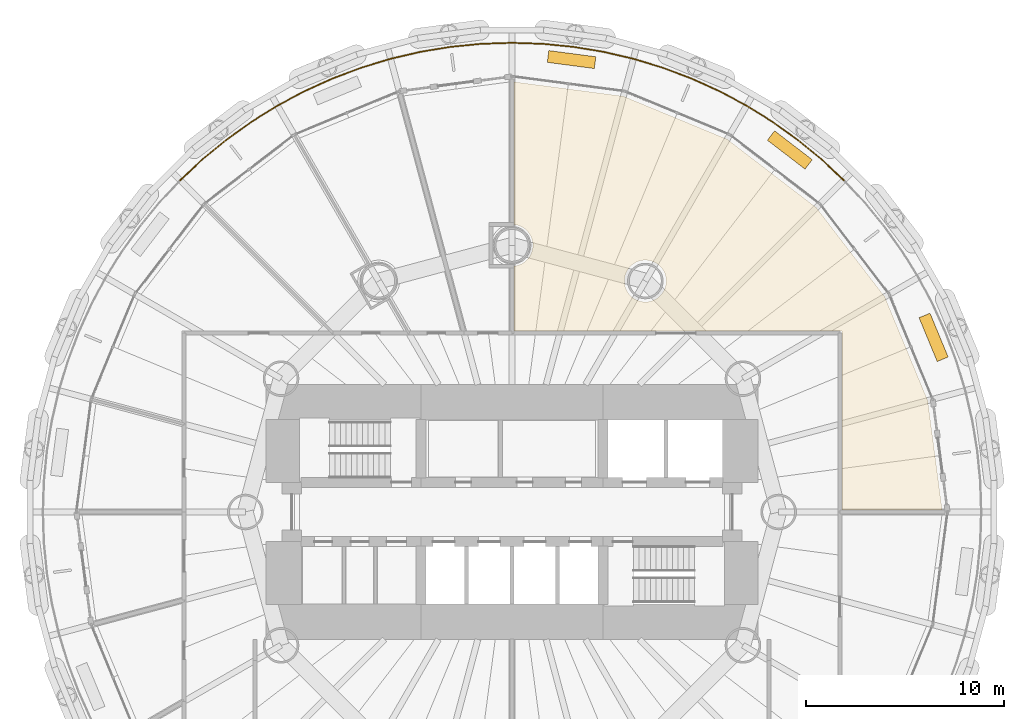
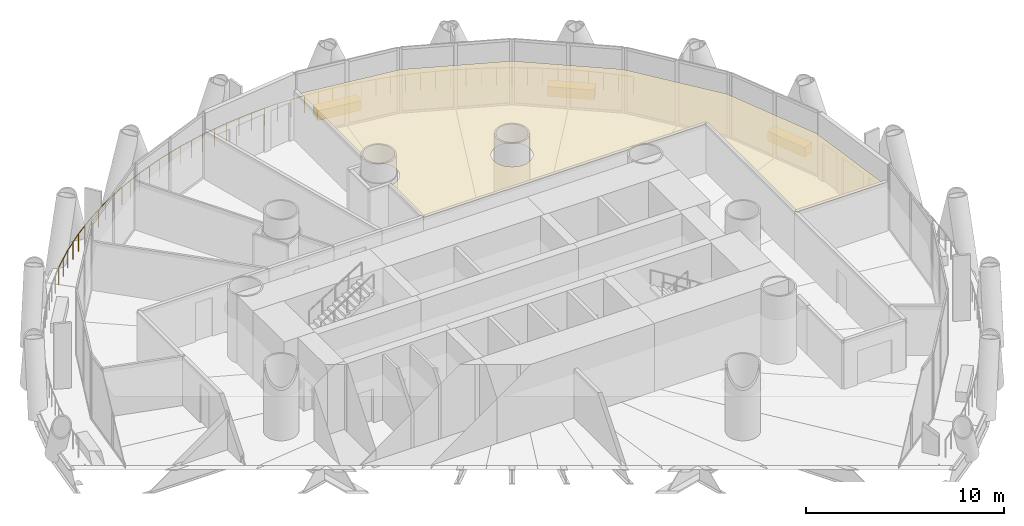
# One storey, part 16 of 16: 4 coverings, 1 railing.
"""IFC4 building model written with IfcOpenShell, lengths in metres."""

import ifcopenshell
import ifcopenshell.guid

model = None  # the IFC model being written
_history = None  # IfcOwnerHistory: only IFC2X3 demands one
_inside = {}  # id of a spatial element -> (the spatial element, [elements in it])
_under = {}  # id of a project, library or spatial element -> (it, [spatial elements below it])
_declared = {}  # id of a project -> (the project, [libraries it declares])
_typed = {}  # id of a type object -> (the type object, [elements of that type])
_made_of = {}  # id of a material, layer set ... -> (it, [elements and type objects made of it])


def new_model(schema):
    """Start an empty IFC model of exactly this schema.

    Asked for "IFC4X3", IfcOpenShell would pick the latest addendum, in which some entities
    have other attributes; the version numbers below select the first issue.
    IFC2X3 requires an IfcOwnerHistory on every rooted entity: one is made here for all.
    """
    global model, _history
    if schema == "IFC4X3":
        model = ifcopenshell.file(schema_version=(4, 3, 0, 0))
    else:
        model = ifcopenshell.file(schema=schema)
    _inside.clear()
    _under.clear()
    _declared.clear()
    _typed.clear()
    _made_of.clear()
    _history = None
    if model.schema == "IFC2X3":
        org = make("IfcOrganization", Name="unknown")
        user = make(
            "IfcPersonAndOrganization",
            ThePerson=make("IfcPerson", FamilyName="unknown"),
            TheOrganization=org,
        )
        app = make(
            "IfcApplication",
            ApplicationDeveloper=org,
            Version="unknown",
            ApplicationFullName="unknown",
            ApplicationIdentifier="unknown",
        )
        _history = make(
            "IfcOwnerHistory",
            OwningUser=user,
            OwningApplication=app,
            ChangeAction="ADDED",
            CreationDate=0,
        )
    return model


def make(cls, **values):
    """One entity of the class cls with the attributes given. An attribute that is None is left unset."""
    return model.create_entity(
        cls, **{name: value for name, value in values.items() if value is not None}
    )


def rooted(cls, **values):
    """An entity with a GlobalId (a new one), such as an element, a storey or a relation."""
    return make(cls, GlobalId=ifcopenshell.guid.new(), OwnerHistory=_history, **values)


def si_unit(unit_type, name, prefix=None):
    """IfcSIUnit, for example si_unit("LENGTHUNIT", "METRE", prefix="MILLI")."""
    return make("IfcSIUnit", UnitType=unit_type, Prefix=prefix, Name=name)


def assignment(units):
    """IfcUnitAssignment: the units of a project."""
    return None if units is None else make("IfcUnitAssignment", Units=units)


def point(xyz):
    """IfcCartesianPoint."""
    return None if xyz is None else make("IfcCartesianPoint", Coordinates=xyz)


def direction(xyz):
    """IfcDirection."""
    return None if xyz is None else make("IfcDirection", DirectionRatios=xyz)


def frame(location, z_axis=None, x_axis=None):
    """IfcAxis2Placement3D, a coordinate frame: its origin and axes. An axis left out is left unset."""
    return make(
        "IfcAxis2Placement3D",
        Location=point(location),
        Axis=direction(z_axis),
        RefDirection=direction(x_axis),
    )


def frame_2d(location, x_axis=None):
    """IfcAxis2Placement2D, a coordinate frame in the plane: its origin and x axis."""
    return make(
        "IfcAxis2Placement2D", Location=point(location), RefDirection=direction(x_axis)
    )


def origin():
    """The frame at (0, 0, 0) with its axes left unset."""
    return frame((0.0, 0.0, 0.0))


def origin_2d():
    """The frame at (0, 0) in the plane with its x axis left unset."""
    return frame_2d((0.0, 0.0))


def place(relative_to, where):
    """IfcLocalPlacement: puts the frame where relative to a parent placement (None: the world)."""
    return make(
        "IfcLocalPlacement", PlacementRelTo=relative_to, RelativePlacement=where
    )


def context(
    kind, dimensions, precision=None, world=None, true_north=None, identifier=None
):
    """IfcGeometricRepresentationContext, for example the 3D "Model" context."""
    return make(
        "IfcGeometricRepresentationContext",
        ContextIdentifier=identifier,
        ContextType=kind,
        CoordinateSpaceDimension=dimensions,
        Precision=precision,
        WorldCoordinateSystem=world,
        TrueNorth=true_north,
    )


def subcontext(parent, identifier, kind, view, scale=None):
    """IfcGeometricRepresentationSubContext, for example "Body" below "Model"."""
    return make(
        "IfcGeometricRepresentationSubContext",
        ContextIdentifier=identifier,
        ContextType=kind,
        ParentContext=parent,
        TargetScale=scale,
        TargetView=view,
    )


def project(units=None, contexts=None):
    """IfcProject with its units and contexts."""
    return rooted(
        "IfcProject",
        Name="project",
        RepresentationContexts=contexts,
        UnitsInContext=assignment(units),
    )


def spatial(cls, under=None, at=None, **own):
    """A site, building, storey or space (cls), placed at a placement, below another one or the project."""
    s = rooted(cls, ObjectPlacement=at, **own)
    if under is not None:
        _under.setdefault(under.id(), (under, []))[1].append(s)
    return s


def polyline(points):
    """IfcPolyline through the points."""
    return make("IfcPolyline", Points=[point(p) for p in points])


def profile(cls, at=None, kind="AREA", **sizes):
    """A parametric profile (cls). Its sizes go by their IFC names, for example OverallWidth=200.0."""
    return make(cls, ProfileType=kind, Position=at, **sizes)


def rectangle(**sizes):
    """IfcRectangleProfileDef."""
    return profile("IfcRectangleProfileDef", **sizes)


def circle(**sizes):
    """IfcCircleProfileDef."""
    return profile("IfcCircleProfileDef", **sizes)


def outline(outer, holes=None, kind="AREA"):
    """IfcArbitraryClosedProfileDef: a profile drawn as a closed curve; with holes, ...WithVoids."""
    if holes is None:
        return make("IfcArbitraryClosedProfileDef", ProfileType=kind, OuterCurve=outer)
    return make(
        "IfcArbitraryProfileDefWithVoids",
        ProfileType=kind,
        OuterCurve=outer,
        InnerCurves=holes,
    )


def extrude(swept, where, along, depth):
    """IfcExtrudedAreaSolid: the profile swept, set in the frame where, extruded along a direction by depth."""
    return make(
        "IfcExtrudedAreaSolid",
        SweptArea=swept,
        Position=where,
        ExtrudedDirection=direction(along),
        Depth=depth,
    )


def shape(context_of_items, identifier, shape_type, items):
    """IfcShapeRepresentation: the items that make up one representation, for example the "Body"."""
    return make(
        "IfcShapeRepresentation",
        ContextOfItems=context_of_items,
        RepresentationIdentifier=identifier,
        RepresentationType=shape_type,
        Items=items,
    )


def material(Name=None, Category=None):
    """IfcMaterial."""
    return make("IfcMaterial", Name=Name, Category=Category)


def layer(
    of_material, thickness, ventilated=None, Name=None, Category=None, Priority=None
):
    """IfcMaterialLayer: one layer of a wall or slab, of a material (None: an air gap)."""
    return make(
        "IfcMaterialLayer",
        Material=of_material,
        LayerThickness=thickness,
        IsVentilated=ventilated,
        Name=Name,
        Category=Category,
        Priority=Priority,
    )


def layer_set(layers, Name=None):
    """IfcMaterialLayerSet."""
    return make("IfcMaterialLayerSet", MaterialLayers=layers, LayerSetName=Name)


def made_of(thing, what):
    """Note that an element or type object is made of a material, layer set ...; save() writes the relation."""
    if what is not None:
        _made_of.setdefault(what.id(), (what, []))[1].append(thing)
    return thing


def type_object(cls, material=None, **own):
    """A type object (cls), such as IfcWallType, which elements share."""
    return made_of(rooted(cls, **own), material)


def element(
    cls,
    number,
    at=None,
    inside=None,
    cuts=None,
    type_object=None,
    material=None,
    context=None,
    identifier="Body",
    shape_type=None,
    held_by="IfcProductDefinitionShape",
    body=None,
    shapes=None,
    **own,
):
    """One element of the class cls, such as IfcWall. Its Tag is "e" and its number.

    at: its placement. inside: the storey or other place that contains it. cuts: it is an
    opening in that element (IfcRelVoidsElement). A single representation is given by context,
    identifier, shape_type and body (its items); several are given by shapes. held_by: the class
    of the entity that holds the representations. save() writes the other relations.
    """
    e = rooted(cls, Tag="e%d" % number, ObjectPlacement=at, **own)
    if body is not None:
        shapes = [shape(context, identifier, shape_type, body)]
    if shapes is not None:
        e.Representation = make(held_by, Representations=shapes)
    if inside is not None:
        _inside.setdefault(inside.id(), (inside, []))[1].append(e)
    if cuts is not None:
        rooted(
            "IfcRelVoidsElement", RelatingBuildingElement=cuts, RelatedOpeningElement=e
        )
    if type_object is not None:
        _typed.setdefault(type_object.id(), (type_object, []))[1].append(e)
    return made_of(e, material)


def aggregate(whole, parts):
    """IfcRelAggregates: a whole, such as a stair, and the parts it consists of."""
    return rooted("IfcRelAggregates", RelatingObject=whole, RelatedObjects=parts)


def save(model, path):
    """Write the relations noted so far, then the file.

    IfcRelAggregates (storeys below a building ...), IfcRelContainedInSpatialStructure (elements
    in a storey), IfcRelDefinesByType, IfcRelAssociatesMaterial and IfcRelDeclares: one each for
    every whole, place, type object, material and project.
    """
    for whole, parts in _under.values():
        aggregate(whole, parts)
    for where, things in _inside.values():
        rooted(
            "IfcRelContainedInSpatialStructure",
            RelatedElements=things,
            RelatingStructure=where,
        )
    for kind, things in _typed.values():
        rooted("IfcRelDefinesByType", RelatedObjects=things, RelatingType=kind)
    for what, things in _made_of.values():
        rooted("IfcRelAssociatesMaterial", RelatedObjects=things, RelatingMaterial=what)
    for by, libraries in _declared.values():
        rooted("IfcRelDeclares", RelatingContext=by, RelatedDefinitions=libraries)
    model.write(path)


model = new_model("IFC4")

# Units and contexts
model_context = context("Model", 3, precision=1e-05, world=origin(), true_north=direction((0.0, 1.0)))
body_context = subcontext(model_context, "Body", "Model", "MODEL_VIEW")
ifc_project = project(units=[si_unit("LENGTHUNIT", "METRE"), si_unit("AREAUNIT", "SQUARE_METRE"), si_unit("VOLUMEUNIT", "CUBIC_METRE"), si_unit("PLANEANGLEUNIT", "RADIAN"), si_unit("MASSUNIT", "GRAM", prefix="KILO")], contexts=[model_context])

# Site, building, storey
site_placement = place(None, origin())
site = spatial("IfcSite", under=ifc_project, at=site_placement, CompositionType="ELEMENT")
building_placement = place(site_placement, origin())
building = spatial("IfcBuilding", under=site, at=building_placement, Name="Qaws Media Tower", CompositionType="ELEMENT")
storey_placement = place(building_placement, frame((0.0, 0.0, 181.39990234375)))
storey = spatial("IfcBuildingStorey", under=building, at=storey_placement, Name="L41", CompositionType="ELEMENT", Elevation=181.39990234375)

# Railing
ifc_material_1 = material(Name="Stainless steel and glass guard", Category="steel")
railing_type = type_object("IfcRailingType", Name="Balcony guard 1100", PredefinedType="GUARDRAIL", material=ifc_material_1)
railing_placement = place(storey_placement, frame((76.793701171875, 66.793701171875, 0.0)))
element("IfcRailing", 1, at=railing_placement, inside=storey, type_object=railing_type, Name="GR1 balcony guard L41-1", PredefinedType="GUARDRAIL", context=body_context, shape_type="SweptSolid", body=[
    extrude(circle(Radius=0.02392578125, at=origin_2d()), frame((0.0, 0.0, 1.076171875), z_axis=(-0.729821267522, 0.683638001777, 0.0), x_axis=(-0.683638001777, -0.729821267522, 0.0)), (0.0, 0.0, 1.0), 1.55419921875),
    extrude(circle(Radius=0.02392578125, at=origin_2d()), frame((-1.13427734375, 1.0625, 1.076171875), z_axis=(-0.773053617773, 0.634340684529, 0.0), x_axis=(-0.634340684529, -0.773053617773, 0.0)), (0.0, 0.0, 1.0), 1.55419921875),
    extrude(circle(Radius=0.02392578125, at=origin_2d()), frame((-2.335693359375, 2.04833984375, 1.076171875), z_axis=(-0.812819606983, 0.582515481773, 0.0), x_axis=(-0.582515481773, -0.812819606983, 0.0)), (0.0, 0.0, 1.0), 1.553955078125),
    extrude(circle(Radius=0.02392578125, at=origin_2d()), frame((-3.598876953125, 2.95361328125, 1.076171875), z_axis=(-0.849178711534, 0.528105591598, 0.0), x_axis=(-0.528105591598, -0.849178711534, 0.0)), (0.0, 0.0, 1.0), 1.55419921875),
    extrude(circle(Radius=0.02392578125, at=origin_2d()), frame((-4.918701171875, 3.7744140625, 1.076171875), z_axis=(-0.881904644069, 0.471427829863, 0.0), x_axis=(-0.471427829863, -0.881904644069, 0.0)), (0.0, 0.0, 1.0), 1.55419921875),
    extrude(circle(Radius=0.02392578125, at=origin_2d()), frame((-6.289306640625, 4.507080078125, 1.076171875), z_axis=(-0.910892916881, 0.412642816459, 0.0), x_axis=(-0.412642816459, -0.910892916881, 0.0)), (0.0, 0.0, 1.0), 1.55419921875),
    extrude(circle(Radius=0.02392578125, at=origin_2d()), frame((-7.705078125, 5.1484375, 1.076171875), z_axis=(-0.935908829299, 0.352242335956, 0.0), x_axis=(-0.352242335956, -0.935908829299, 0.0)), (0.0, 0.0, 1.0), 1.553955078125),
    extrude(circle(Radius=0.02392578125, at=origin_2d()), frame((-9.159423828125, 5.69580078125, 1.076171875), z_axis=(-0.956939811961, 0.290286403891, 0.0), x_axis=(-0.290286403891, -0.956939811961, 0.0)), (0.0, 0.0, 1.0), 1.55419921875),
    extrude(circle(Radius=0.02392578125, at=origin_2d()), frame((-10.646728515625, 6.14697265625, 1.076171875), z_axis=(-0.97386437695, 0.227130304689, 0.0), x_axis=(-0.227130304689, -0.97386437695, 0.0)), (0.0, 0.0, 1.0), 1.55419921875),
    extrude(circle(Radius=0.02392578125, at=origin_2d()), frame((-12.160400390625, 6.5, 1.076171875), z_axis=(-0.986639094643, 0.162921137125, 0.0), x_axis=(-0.162921137125, -0.986639094643, 0.0)), (0.0, 0.0, 1.0), 1.553955078125),
    extrude(circle(Radius=0.02392578125, at=origin_2d()), frame((-13.693603515625, 6.753173828125, 1.076171875), z_axis=(-0.995185362969, 0.098010679686, 0.0), x_axis=(-0.098010679686, -0.995185362969, 0.0)), (0.0, 0.0, 1.0), 1.554443359375),
    extrude(circle(Radius=0.02392578125, at=origin_2d()), frame((-15.240478515625, 6.905517578125, 1.076171875), z_axis=(-0.999465975293, 0.032676661877, 0.0), x_axis=(-0.032676661877, -0.999465975293, 0.0)), (0.0, 0.0, 1.0), 1.553955078125),
    extrude(circle(Radius=0.02392578125, at=origin_2d()), frame((-16.793701171875, 6.956298828125, 1.076171875), z_axis=(-0.999465975293, -0.032676661877, 0.0), x_axis=(0.032676661877, -0.999465975293, 0.0)), (0.0, 0.0, 1.0), 1.553955078125),
    extrude(circle(Radius=0.02392578125, at=origin_2d()), frame((-18.346923828125, 6.905517578125, 1.076171875), z_axis=(-0.995185362969, -0.098010679686, 0.0), x_axis=(0.098010679686, -0.995185362969, 0.0)), (0.0, 0.0, 1.0), 1.554443359375),
    extrude(circle(Radius=0.02392578125, at=origin_2d()), frame((-19.893798828125, 6.753173828125, 1.076171875), z_axis=(-0.986639094643, -0.162921137125, 0.0), x_axis=(0.162921137125, -0.986639094643, 0.0)), (0.0, 0.0, 1.0), 1.553955078125),
    extrude(circle(Radius=0.02392578125, at=origin_2d()), frame((-21.427001953125, 6.5, 1.076171875), z_axis=(-0.97386437695, -0.227130304689, 0.0), x_axis=(0.227130304689, -0.97386437695, 0.0)), (0.0, 0.0, 1.0), 1.55419921875),
    extrude(circle(Radius=0.02392578125, at=origin_2d()), frame((-22.940673828125, 6.14697265625, 1.076171875), z_axis=(-0.956939811961, -0.290286403891, 0.0), x_axis=(0.290286403891, -0.956939811961, 0.0)), (0.0, 0.0, 1.0), 1.55419921875),
    extrude(circle(Radius=0.02392578125, at=origin_2d()), frame((-24.427978515625, 5.69580078125, 1.076171875), z_axis=(-0.935908829299, -0.352242335956, 0.0), x_axis=(0.352242335956, -0.935908829299, 0.0)), (0.0, 0.0, 1.0), 1.553955078125),
    extrude(circle(Radius=0.02392578125, at=origin_2d()), frame((-25.88232421875, 5.1484375, 1.076171875), z_axis=(-0.910892916881, -0.412642816459, 0.0), x_axis=(0.412642816459, -0.910892916881, 0.0)), (0.0, 0.0, 1.0), 1.55419921875),
    extrude(circle(Radius=0.02392578125, at=origin_2d()), frame((-27.298095703125, 4.507080078125, 1.076171875), z_axis=(-0.881904644069, -0.471427829863, 0.0), x_axis=(0.471427829863, -0.881904644069, 0.0)), (0.0, 0.0, 1.0), 1.55419921875),
    extrude(circle(Radius=0.02392578125, at=origin_2d()), frame((-28.668701171875, 3.7744140625, 1.076171875), z_axis=(-0.849178711534, -0.528105591598, 0.0), x_axis=(0.528105591598, -0.849178711534, 0.0)), (0.0, 0.0, 1.0), 1.55419921875),
    extrude(circle(Radius=0.02392578125, at=origin_2d()), frame((-29.988525390625, 2.95361328125, 1.076171875), z_axis=(-0.812819606983, -0.582515481773, 0.0), x_axis=(0.582515481773, -0.812819606983, 0.0)), (0.0, 0.0, 1.0), 1.553955078125),
    extrude(circle(Radius=0.02392578125, at=origin_2d()), frame((-31.251708984375, 2.04833984375, 1.076171875), z_axis=(-0.773053617773, -0.634340684529, 0.0), x_axis=(0.634340684529, -0.773053617773, 0.0)), (0.0, 0.0, 1.0), 1.55419921875),
    extrude(circle(Radius=0.02392578125, at=origin_2d()), frame((-32.453125, 1.0625, 1.076171875), z_axis=(-0.729821267522, -0.683638001777, 0.0), x_axis=(0.683638001777, -0.729821267522, 0.0)), (0.0, 0.0, 1.0), 1.55419921875),
    extrude(circle(Radius=0.02099609375, at=origin_2d()), origin(), (0.0, 0.0, 1.0), 1.052001953125),
    extrude(circle(Radius=0.02099609375, at=origin_2d()), frame((-0.567138671875, 0.53125, 0.0)), (0.0, 0.0, 1.0), 1.052001953125),
    extrude(circle(Radius=0.02099609375, at=origin_2d()), frame((-1.13427734375, 1.0625, 0.0)), (0.0, 0.0, 1.0), 1.052001953125),
    extrude(circle(Radius=0.02099609375, at=origin_2d()), frame((-1.73486328125, 1.555419921875, 0.0)), (0.0, 0.0, 1.0), 1.052001953125),
    extrude(circle(Radius=0.02099609375, at=origin_2d()), frame((-2.335693359375, 2.04833984375, 0.0)), (0.0, 0.0, 1.0), 1.052001953125),
    extrude(circle(Radius=0.02099609375, at=origin_2d()), frame((-2.96728515625, 2.5009765625, 0.0)), (0.0, 0.0, 1.0), 1.052001953125),
    extrude(circle(Radius=0.02099609375, at=origin_2d()), frame((-3.598876953125, 2.95361328125, 0.0)), (0.0, 0.0, 1.0), 1.052001953125),
    extrude(circle(Radius=0.02099609375, at=origin_2d()), frame((-4.2587890625, 3.364013671875, 0.0)), (0.0, 0.0, 1.0), 1.052001953125),
    extrude(circle(Radius=0.02099609375, at=origin_2d()), frame((-4.918701171875, 3.7744140625, 0.0)), (0.0, 0.0, 1.0), 1.052001953125),
    extrude(circle(Radius=0.02099609375, at=origin_2d()), frame((-5.60400390625, 4.140625, 0.0)), (0.0, 0.0, 1.0), 1.052001953125),
    extrude(circle(Radius=0.02099609375, at=origin_2d()), frame((-6.289306640625, 4.507080078125, 0.0)), (0.0, 0.0, 1.0), 1.052001953125),
    extrude(circle(Radius=0.02099609375, at=origin_2d()), frame((-6.9970703125, 4.82763671875, 0.0)), (0.0, 0.0, 1.0), 1.052001953125),
    extrude(circle(Radius=0.02099609375, at=origin_2d()), frame((-7.705078125, 5.1484375, 0.0)), (0.0, 0.0, 1.0), 1.052001953125),
    extrude(circle(Radius=0.02099609375, at=origin_2d()), frame((-8.43212890625, 5.422119140625, 0.0)), (0.0, 0.0, 1.0), 1.052001953125),
    extrude(circle(Radius=0.02099609375, at=origin_2d()), frame((-9.159423828125, 5.69580078125, 0.0)), (0.0, 0.0, 1.0), 1.052001953125),
    extrude(circle(Radius=0.02099609375, at=origin_2d()), frame((-9.903076171875, 5.92138671875, 0.0)), (0.0, 0.0, 1.0), 1.052001953125),
    extrude(circle(Radius=0.02099609375, at=origin_2d()), frame((-10.646728515625, 6.14697265625, 0.0)), (0.0, 0.0, 1.0), 1.052001953125),
    extrude(circle(Radius=0.02099609375, at=origin_2d()), frame((-11.403564453125, 6.323486328125, 0.0)), (0.0, 0.0, 1.0), 1.052001953125),
    extrude(circle(Radius=0.02099609375, at=origin_2d()), frame((-12.160400390625, 6.5, 0.0)), (0.0, 0.0, 1.0), 1.052001953125),
    extrude(circle(Radius=0.02099609375, at=origin_2d()), frame((-12.927001953125, 6.62646484375, 0.0)), (0.0, 0.0, 1.0), 1.052001953125),
    extrude(circle(Radius=0.02099609375, at=origin_2d()), frame((-13.693603515625, 6.753173828125, 0.0)), (0.0, 0.0, 1.0), 1.052001953125),
    extrude(circle(Radius=0.02099609375, at=origin_2d()), frame((-14.467041015625, 6.829345703125, 0.0)), (0.0, 0.0, 1.0), 1.052001953125),
    extrude(circle(Radius=0.02099609375, at=origin_2d()), frame((-15.240478515625, 6.905517578125, 0.0)), (0.0, 0.0, 1.0), 1.052001953125),
    extrude(circle(Radius=0.02099609375, at=origin_2d()), frame((-16.01708984375, 6.930908203125, 0.0)), (0.0, 0.0, 1.0), 1.052001953125),
    extrude(circle(Radius=0.02099609375, at=origin_2d()), frame((-16.793701171875, 6.956298828125, 0.0)), (0.0, 0.0, 1.0), 1.052001953125),
    extrude(circle(Radius=0.02099609375, at=origin_2d()), frame((-17.5703125, 6.930908203125, 0.0)), (0.0, 0.0, 1.0), 1.052001953125),
    extrude(circle(Radius=0.02099609375, at=origin_2d()), frame((-18.346923828125, 6.905517578125, 0.0)), (0.0, 0.0, 1.0), 1.052001953125),
    extrude(circle(Radius=0.02099609375, at=origin_2d()), frame((-19.120361328125, 6.829345703125, 0.0)), (0.0, 0.0, 1.0), 1.052001953125),
    extrude(circle(Radius=0.02099609375, at=origin_2d()), frame((-19.893798828125, 6.753173828125, 0.0)), (0.0, 0.0, 1.0), 1.052001953125),
    extrude(circle(Radius=0.02099609375, at=origin_2d()), frame((-20.660400390625, 6.62646484375, 0.0)), (0.0, 0.0, 1.0), 1.052001953125),
    extrude(circle(Radius=0.02099609375, at=origin_2d()), frame((-21.427001953125, 6.5, 0.0)), (0.0, 0.0, 1.0), 1.052001953125),
    extrude(circle(Radius=0.02099609375, at=origin_2d()), frame((-22.183837890625, 6.323486328125, 0.0)), (0.0, 0.0, 1.0), 1.052001953125),
    extrude(circle(Radius=0.02099609375, at=origin_2d()), frame((-22.940673828125, 6.14697265625, 0.0)), (0.0, 0.0, 1.0), 1.052001953125),
    extrude(circle(Radius=0.02099609375, at=origin_2d()), frame((-23.684326171875, 5.92138671875, 0.0)), (0.0, 0.0, 1.0), 1.052001953125),
    extrude(circle(Radius=0.02099609375, at=origin_2d()), frame((-24.427978515625, 5.69580078125, 0.0)), (0.0, 0.0, 1.0), 1.052001953125),
    extrude(circle(Radius=0.02099609375, at=origin_2d()), frame((-25.1552734375, 5.422119140625, 0.0)), (0.0, 0.0, 1.0), 1.052001953125),
    extrude(circle(Radius=0.02099609375, at=origin_2d()), frame((-25.88232421875, 5.1484375, 0.0)), (0.0, 0.0, 1.0), 1.052001953125),
    extrude(circle(Radius=0.02099609375, at=origin_2d()), frame((-26.59033203125, 4.82763671875, 0.0)), (0.0, 0.0, 1.0), 1.052001953125),
    extrude(circle(Radius=0.02099609375, at=origin_2d()), frame((-27.298095703125, 4.507080078125, 0.0)), (0.0, 0.0, 1.0), 1.052001953125),
    extrude(circle(Radius=0.02099609375, at=origin_2d()), frame((-27.9833984375, 4.140625, 0.0)), (0.0, 0.0, 1.0), 1.052001953125),
    extrude(circle(Radius=0.02099609375, at=origin_2d()), frame((-28.668701171875, 3.7744140625, 0.0)), (0.0, 0.0, 1.0), 1.052001953125),
    extrude(circle(Radius=0.02099609375, at=origin_2d()), frame((-29.32861328125, 3.364013671875, 0.0)), (0.0, 0.0, 1.0), 1.052001953125),
    extrude(circle(Radius=0.02099609375, at=origin_2d()), frame((-29.988525390625, 2.95361328125, 0.0)), (0.0, 0.0, 1.0), 1.052001953125),
    extrude(circle(Radius=0.02099609375, at=origin_2d()), frame((-30.6201171875, 2.5009765625, 0.0)), (0.0, 0.0, 1.0), 1.052001953125),
    extrude(circle(Radius=0.02099609375, at=origin_2d()), frame((-31.251708984375, 2.04833984375, 0.0)), (0.0, 0.0, 1.0), 1.052001953125),
    extrude(circle(Radius=0.02099609375, at=origin_2d()), frame((-31.8525390625, 1.555419921875, 0.0)), (0.0, 0.0, 1.0), 1.052001953125),
    extrude(circle(Radius=0.02099609375, at=origin_2d()), frame((-32.453125, 1.0625, 0.0)), (0.0, 0.0, 1.0), 1.052001953125),
    extrude(circle(Radius=0.02099609375, at=origin_2d()), frame((-33.020263671875, 0.53125, 0.0)), (0.0, 0.0, 1.0), 1.052001953125),
    extrude(circle(Radius=0.02099609375, at=origin_2d()), frame((-33.58740234375, 0.0, 0.0)), (0.0, 0.0, 1.0), 1.052001953125),
])

# Coverings
ifc_material_2 = material(Name="600 x 600 mineral fibre tiles in exposed grid, suspended", Category="mineral fibre")
ifc_layer_1 = layer(ifc_material_2, 0.02001953125)
ifc_layer_set_1 = layer_set([ifc_layer_1], Name="Mineral fibre tile ceiling 20")
covering_type_1 = type_object("IfcCoveringType", Name="Mineral fibre tile ceiling 20", PredefinedType="CEILING", material=ifc_layer_set_1)
covering_placement = place(storey_placement, frame((0.0, 0.0, 2.85009765625)))
element("IfcCovering", 2, at=covering_placement, inside=storey, type_object=covering_type_1, Name="CL1 ceiling L41-02 Strategy office", PredefinedType="CEILING", context=body_context, shape_type="SweptSolid", body=[
    extrude(outline(polyline([(65.638427734375, 71.04296875), (70.892578125, 68.86669921875), (75.404541015625, 65.404541015625), (78.86669921875, 60.892578125), (81.04296875, 55.638427734375), (81.7705078125, 50.112548828125), (76.71240234375, 50.112548828125), (76.71240234375, 59.16259765625), (60.112548828125, 59.16259765625), (60.112548828125, 62.447509765625), (60.138427734375, 62.44921875), (60.2744140625, 62.47607421875), (60.405517578125, 62.520751953125), (60.530029296875, 62.58203125), (60.645263671875, 62.658935546875), (60.74951171875, 62.75048828125), (60.841064453125, 62.854736328125), (60.91796875, 62.969970703125), (60.979248046875, 63.094482421875), (61.02392578125, 63.2255859375), (61.05078125, 63.361572265625), (61.06005859375, 63.5), (61.05078125, 63.638427734375), (61.02392578125, 63.7744140625), (60.979248046875, 63.905517578125), (60.91796875, 64.030029296875), (60.841064453125, 64.145263671875), (60.74951171875, 64.24951171875), (60.645263671875, 64.341064453125), (60.530029296875, 64.41796875), (60.405517578125, 64.479248046875), (60.2744140625, 64.52392578125), (60.138427734375, 64.55078125), (60.112548828125, 64.552490234375), (60.112548828125, 71.7705078125), (65.638427734375, 71.04296875)]), holes=[polyline([(67.729248046875, 61.28564453125), (67.77392578125, 61.4169921875), (67.80078125, 61.552978515625), (67.81005859375, 61.69140625), (67.80078125, 61.82958984375), (67.77392578125, 61.9658203125), (67.729248046875, 62.096923828125), (67.66796875, 62.22119140625), (67.591064453125, 62.336669921875), (67.49951171875, 62.44091796875), (67.395263671875, 62.5322265625), (67.280029296875, 62.609375), (67.155517578125, 62.670654296875), (67.0244140625, 62.715087890625), (66.888427734375, 62.7421875), (66.75, 62.751220703125), (66.611572265625, 62.7421875), (66.4755859375, 62.715087890625), (66.344482421875, 62.670654296875), (66.219970703125, 62.609375), (66.104736328125, 62.5322265625), (66.00048828125, 62.44091796875), (65.908935546875, 62.336669921875), (65.83203125, 62.22119140625), (65.770751953125, 62.096923828125), (65.72607421875, 61.9658203125), (65.69921875, 61.82958984375), (65.68994140625, 61.69140625), (65.69921875, 61.552978515625), (65.72607421875, 61.4169921875), (65.770751953125, 61.28564453125), (65.83203125, 61.161376953125), (65.908935546875, 61.046142578125), (66.00048828125, 60.94189453125), (66.104736328125, 60.850341796875), (66.219970703125, 60.7734375), (66.344482421875, 60.7119140625), (66.4755859375, 60.66748046875), (66.611572265625, 60.640380859375), (66.75, 60.63134765625), (66.888427734375, 60.640380859375), (67.0244140625, 60.66748046875), (67.155517578125, 60.7119140625), (67.280029296875, 60.7734375), (67.395263671875, 60.850341796875), (67.49951171875, 60.94189453125), (67.591064453125, 61.046142578125), (67.66796875, 61.161376953125), (67.729248046875, 61.28564453125)])]), origin(), (0.0, 0.0, 1.0), 0.02001953125),
])
ifc_material_3 = material(Name="Precast concrete planter with trailing planting", Category="concrete")
ifc_layer_2 = layer(ifc_material_3, 0.60009765625)
ifc_layer_set_2 = layer_set([ifc_layer_2], Name="Planter 2400x600")
covering_type_2 = type_object("IfcCoveringType", Name="Planter 2400x600", PredefinedType="USERDEFINED", material=ifc_layer_set_2)
for number, where, z_axis, x_axis, name in (
    (3, (81.341552734375, 58.840087890625, 0.0), (0.0, 0.0, 1.0), (-0.382683432365, 0.923879532511, 0.0), "PL1 balcony planter L41-01"),
    (4, (74.0625, 68.326416015625, 0.0), (0.0, 0.0, 1.0), (-0.793353340291, 0.608761429009, 0.0), "PL1 balcony planter L41-02"),
    (5, (63.01513671875, 72.90234375, 0.0), (0.0, 0.0, 1.0), (-0.991444861374, 0.13052619222, 0.0), "PL1 balcony planter L41-03"),
):
    element("IfcCovering", number, at=place(storey_placement, frame(where, z_axis=z_axis, x_axis=x_axis)), inside=storey, type_object=covering_type_2, Name=name, ObjectType="PLANTER", PredefinedType="USERDEFINED", context=body_context, shape_type="SweptSolid", body=[
        extrude(rectangle(XDim=2.39990234375, YDim=0.60009765625, at=origin_2d()), origin(), (0.0, 0.0, 1.0), 0.60009765625),
    ])

save(model, "model.ifc")
